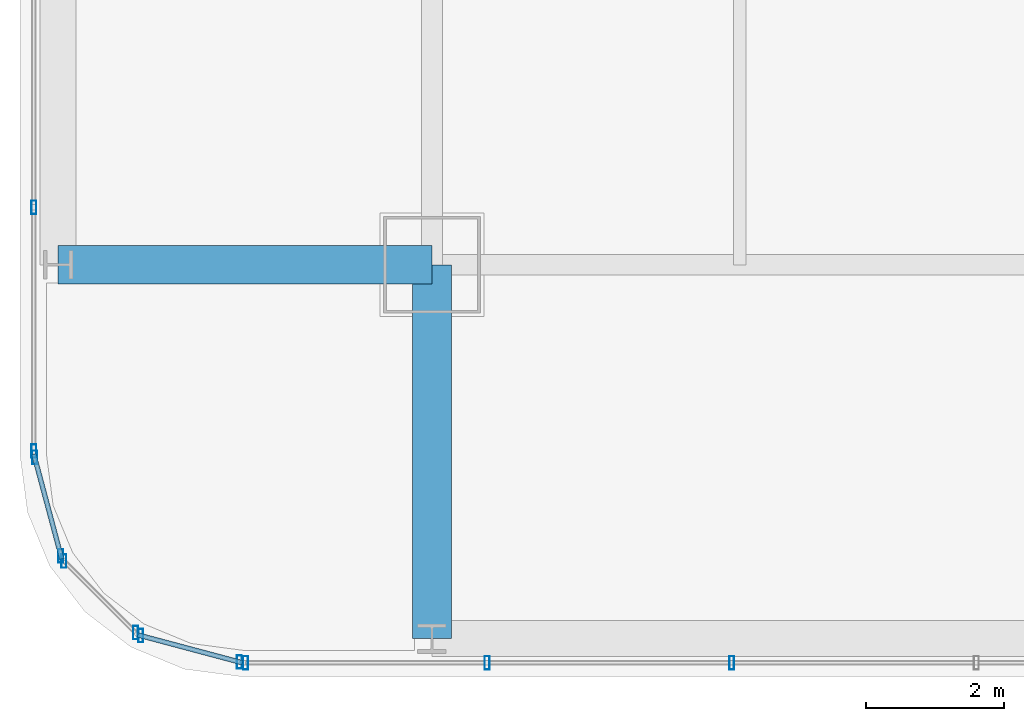
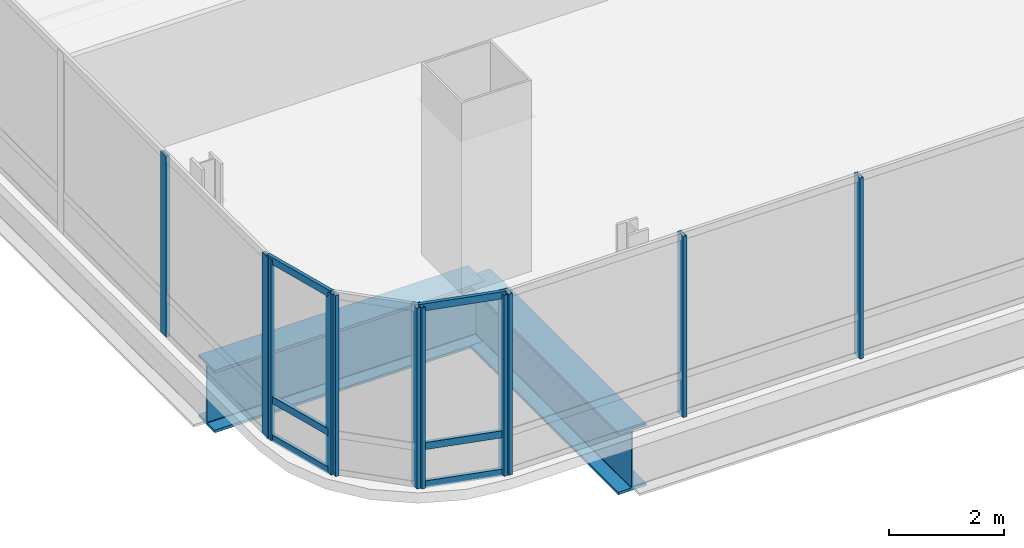
# One storey, part 2 of 36: 17 members, 2 beams, 5 elements without a shape of their own.
"""IFC4 building model written with IfcOpenShell, lengths in metres."""

import ifcopenshell
import ifcopenshell.guid

model = None  # the IFC model being written
_history = None  # IfcOwnerHistory: only IFC2X3 demands one
_inside = {}  # id of a spatial element -> (the spatial element, [elements in it])
_under = {}  # id of a project, library or spatial element -> (it, [spatial elements below it])
_declared = {}  # id of a project -> (the project, [libraries it declares])
_typed = {}  # id of a type object -> (the type object, [elements of that type])
_made_of = {}  # id of a material, layer set ... -> (it, [elements and type objects made of it])


def new_model(schema):
    """Start an empty IFC model of exactly this schema.

    Asked for "IFC4X3", IfcOpenShell would pick the latest addendum, in which some entities
    have other attributes; the version numbers below select the first issue.
    IFC2X3 requires an IfcOwnerHistory on every rooted entity: one is made here for all.
    """
    global model, _history
    if schema == "IFC4X3":
        model = ifcopenshell.file(schema_version=(4, 3, 0, 0))
    else:
        model = ifcopenshell.file(schema=schema)
    _inside.clear()
    _under.clear()
    _declared.clear()
    _typed.clear()
    _made_of.clear()
    _history = None
    if model.schema == "IFC2X3":
        org = make("IfcOrganization", Name="unknown")
        user = make(
            "IfcPersonAndOrganization",
            ThePerson=make("IfcPerson", FamilyName="unknown"),
            TheOrganization=org,
        )
        app = make(
            "IfcApplication",
            ApplicationDeveloper=org,
            Version="unknown",
            ApplicationFullName="unknown",
            ApplicationIdentifier="unknown",
        )
        _history = make(
            "IfcOwnerHistory",
            OwningUser=user,
            OwningApplication=app,
            ChangeAction="ADDED",
            CreationDate=0,
        )
    return model


def make(cls, **values):
    """One entity of the class cls with the attributes given. An attribute that is None is left unset."""
    return model.create_entity(
        cls, **{name: value for name, value in values.items() if value is not None}
    )


def rooted(cls, **values):
    """An entity with a GlobalId (a new one), such as an element, a storey or a relation."""
    return make(cls, GlobalId=ifcopenshell.guid.new(), OwnerHistory=_history, **values)


def si_unit(unit_type, name, prefix=None):
    """IfcSIUnit, for example si_unit("LENGTHUNIT", "METRE", prefix="MILLI")."""
    return make("IfcSIUnit", UnitType=unit_type, Prefix=prefix, Name=name)


def assignment(units):
    """IfcUnitAssignment: the units of a project."""
    return None if units is None else make("IfcUnitAssignment", Units=units)


def point(xyz):
    """IfcCartesianPoint."""
    return None if xyz is None else make("IfcCartesianPoint", Coordinates=xyz)


def direction(xyz):
    """IfcDirection."""
    return None if xyz is None else make("IfcDirection", DirectionRatios=xyz)


def frame(location, z_axis=None, x_axis=None):
    """IfcAxis2Placement3D, a coordinate frame: its origin and axes. An axis left out is left unset."""
    return make(
        "IfcAxis2Placement3D",
        Location=point(location),
        Axis=direction(z_axis),
        RefDirection=direction(x_axis),
    )


def frame_2d(location, x_axis=None):
    """IfcAxis2Placement2D, a coordinate frame in the plane: its origin and x axis."""
    return make(
        "IfcAxis2Placement2D", Location=point(location), RefDirection=direction(x_axis)
    )


def origin():
    """The frame at (0, 0, 0) with its axes left unset."""
    return frame((0.0, 0.0, 0.0))


def origin_2d():
    """The frame at (0, 0) in the plane with its x axis left unset."""
    return frame_2d((0.0, 0.0))


def place(relative_to, where):
    """IfcLocalPlacement: puts the frame where relative to a parent placement (None: the world)."""
    return make(
        "IfcLocalPlacement", PlacementRelTo=relative_to, RelativePlacement=where
    )


def context(
    kind, dimensions, precision=None, world=None, true_north=None, identifier=None
):
    """IfcGeometricRepresentationContext, for example the 3D "Model" context."""
    return make(
        "IfcGeometricRepresentationContext",
        ContextIdentifier=identifier,
        ContextType=kind,
        CoordinateSpaceDimension=dimensions,
        Precision=precision,
        WorldCoordinateSystem=world,
        TrueNorth=true_north,
    )


def subcontext(parent, identifier, kind, view, scale=None):
    """IfcGeometricRepresentationSubContext, for example "Body" below "Model"."""
    return make(
        "IfcGeometricRepresentationSubContext",
        ContextIdentifier=identifier,
        ContextType=kind,
        ParentContext=parent,
        TargetScale=scale,
        TargetView=view,
    )


def project(units=None, contexts=None):
    """IfcProject with its units and contexts."""
    return rooted(
        "IfcProject",
        Name="project",
        RepresentationContexts=contexts,
        UnitsInContext=assignment(units),
    )


def spatial(cls, under=None, at=None, **own):
    """A site, building, storey or space (cls), placed at a placement, below another one or the project."""
    s = rooted(cls, ObjectPlacement=at, **own)
    if under is not None:
        _under.setdefault(under.id(), (under, []))[1].append(s)
    return s


def profile(cls, at=None, kind="AREA", **sizes):
    """A parametric profile (cls). Its sizes go by their IFC names, for example OverallWidth=200.0."""
    return make(cls, ProfileType=kind, Position=at, **sizes)


def hollow_rectangle(**sizes):
    """IfcRectangleHollowProfileDef."""
    return profile("IfcRectangleHollowProfileDef", **sizes)


def i_section(**sizes):
    """IfcIShapeProfileDef."""
    return profile("IfcIShapeProfileDef", **sizes)


def extrude(swept, where, along, depth):
    """IfcExtrudedAreaSolid: the profile swept, set in the frame where, extruded along a direction by depth."""
    return make(
        "IfcExtrudedAreaSolid",
        SweptArea=swept,
        Position=where,
        ExtrudedDirection=direction(along),
        Depth=depth,
    )


def shape(context_of_items, identifier, shape_type, items):
    """IfcShapeRepresentation: the items that make up one representation, for example the "Body"."""
    return make(
        "IfcShapeRepresentation",
        ContextOfItems=context_of_items,
        RepresentationIdentifier=identifier,
        RepresentationType=shape_type,
        Items=items,
    )


def material(Name=None, Category=None):
    """IfcMaterial."""
    return make("IfcMaterial", Name=Name, Category=Category)


def material_profile(
    of_material, cross_section, Name=None, Category=None, Priority=None
):
    """IfcMaterialProfile: a cross section and its material."""
    return make(
        "IfcMaterialProfile",
        Name=Name,
        Material=of_material,
        Profile=cross_section,
        Priority=Priority,
        Category=Category,
    )


def profile_set(profiles, Name=None, composite=None):
    """IfcMaterialProfileSet."""
    return make(
        "IfcMaterialProfileSet",
        Name=Name,
        MaterialProfiles=profiles,
        CompositeProfile=composite,
    )


def made_of(thing, what):
    """Note that an element or type object is made of a material, layer set ...; save() writes the relation."""
    if what is not None:
        _made_of.setdefault(what.id(), (what, []))[1].append(thing)
    return thing


def type_object(cls, material=None, **own):
    """A type object (cls), such as IfcWallType, which elements share."""
    return made_of(rooted(cls, **own), material)


def element(
    cls,
    number,
    at=None,
    inside=None,
    cuts=None,
    type_object=None,
    material=None,
    context=None,
    identifier="Body",
    shape_type=None,
    held_by="IfcProductDefinitionShape",
    body=None,
    shapes=None,
    **own,
):
    """One element of the class cls, such as IfcWall. Its Tag is "e" and its number.

    at: its placement. inside: the storey or other place that contains it. cuts: it is an
    opening in that element (IfcRelVoidsElement). A single representation is given by context,
    identifier, shape_type and body (its items); several are given by shapes. held_by: the class
    of the entity that holds the representations. save() writes the other relations.
    """
    e = rooted(cls, Tag="e%d" % number, ObjectPlacement=at, **own)
    if body is not None:
        shapes = [shape(context, identifier, shape_type, body)]
    if shapes is not None:
        e.Representation = make(held_by, Representations=shapes)
    if inside is not None:
        _inside.setdefault(inside.id(), (inside, []))[1].append(e)
    if cuts is not None:
        rooted(
            "IfcRelVoidsElement", RelatingBuildingElement=cuts, RelatedOpeningElement=e
        )
    if type_object is not None:
        _typed.setdefault(type_object.id(), (type_object, []))[1].append(e)
    return made_of(e, material)


def aggregate(whole, parts):
    """IfcRelAggregates: a whole, such as a stair, and the parts it consists of."""
    return rooted("IfcRelAggregates", RelatingObject=whole, RelatedObjects=parts)


def save(model, path):
    """Write the relations noted so far, then the file.

    IfcRelAggregates (storeys below a building ...), IfcRelContainedInSpatialStructure (elements
    in a storey), IfcRelDefinesByType, IfcRelAssociatesMaterial and IfcRelDeclares: one each for
    every whole, place, type object, material and project.
    """
    for whole, parts in _under.values():
        aggregate(whole, parts)
    for where, things in _inside.values():
        rooted(
            "IfcRelContainedInSpatialStructure",
            RelatedElements=things,
            RelatingStructure=where,
        )
    for kind, things in _typed.values():
        rooted("IfcRelDefinesByType", RelatedObjects=things, RelatingType=kind)
    for what, things in _made_of.values():
        rooted("IfcRelAssociatesMaterial", RelatedObjects=things, RelatingMaterial=what)
    for by, libraries in _declared.values():
        rooted("IfcRelDeclares", RelatingContext=by, RelatedDefinitions=libraries)
    model.write(path)


model = new_model("IFC4")

# Units and contexts
model_context = context("Model", 3, precision=1e-05, world=origin(), true_north=direction((0.0, 1.0)))
body_context = subcontext(model_context, "Body", "Model", "MODEL_VIEW")
ifc_project = project(units=[si_unit("LENGTHUNIT", "METRE"), si_unit("AREAUNIT", "SQUARE_METRE"), si_unit("VOLUMEUNIT", "CUBIC_METRE"), si_unit("PLANEANGLEUNIT", "RADIAN"), si_unit("MASSUNIT", "GRAM", prefix="KILO")], contexts=[model_context])

# Site, building, storey
site_placement = place(None, origin())
site = spatial("IfcSite", under=ifc_project, at=site_placement, CompositionType="ELEMENT")
building_placement = place(site_placement, origin())
building = spatial("IfcBuilding", under=site, at=building_placement, Name="Punatoya Terracotta Tower", CompositionType="ELEMENT")
storey_placement = place(building_placement, frame((0.0, 0.0, 184.35009765625)))
storey = spatial("IfcBuildingStorey", under=building, at=storey_placement, Name="L43", CompositionType="ELEMENT", Elevation=184.35009765625)

# Beams
ifc_material_1 = material(Name="Steel S460", Category="steel")
ifc_material_profile_1 = material_profile(ifc_material_1, i_section(OverallWidth=0.56005859375, OverallDepth=1.320068359375, WebThickness=0.035888671875, FlangeThickness=0.054931640625, FilletRadius=0.01806640625, at=origin_2d()))
ifc_profile_set_1 = profile_set([ifc_material_profile_1], Name="Steel S460")
beam_type = type_object("IfcBeamType", Name="BM-TG-BLK", PredefinedType="BEAM", material=ifc_profile_set_1)
for number, where, z_axis, x_axis, name in (
    (1, (-24.5, -17.5, -0.880126953125), (1.0, 0.0, 0.0), (0.0, 1.0, 0.0), "BM-L43-CANT-W1"),
    (2, (-19.10009765625, -22.89990234375, -0.880126953125), (0.0, 1.0, 0.0), (-1.0, 0.0, 0.0), "BM-L43-CANT-S1"),
):
    element("IfcBeam", number, at=place(storey_placement, frame(where, z_axis=z_axis, x_axis=x_axis)), inside=storey, type_object=beam_type, Name=name, PredefinedType="BEAM", context=body_context, shape_type="SweptSolid", body=[
        extrude(i_section(OverallWidth=0.56005859375, OverallDepth=1.320068359375, WebThickness=0.035888671875, FlangeThickness=0.054931640625, FilletRadius=0.01806640625, at=origin_2d()), origin(), (0.0, 0.0, 1.0), 5.39990234375),
    ])

# Curtain wall, members
ifc_material_2 = material(Name="Aluminium 6063-T6 + Double Low-E Glass", Category="aluminium")
curtain_wall_type = type_object("IfcCurtainWallType", Name="CW-M2", PredefinedType="NOTDEFINED", material=ifc_material_2)
curtain_wall_1_placement = place(storey_placement, origin())
curtain_wall_1 = element("IfcCurtainWall", 3, at=curtain_wall_1_placement, inside=storey, type_object=curtain_wall_type, Name="L43 Curtain Wall CW-L43-S01-1", PredefinedType="NOTDEFINED")
ifc_material_3 = material(Name="Aluminium 6063-T6", Category="aluminium")
ifc_material_profile_2 = material_profile(ifc_material_3, hollow_rectangle(XDim=0.072021484375, YDim=0.195068359375, WallThickness=0.00439453125, at=origin_2d()))
ifc_profile_set_2 = profile_set([ifc_material_profile_2], Name="Aluminium 6063-T6")
member_type_1 = type_object("IfcMemberType", Name="CW-MUL-M2", PredefinedType="MULLION", material=ifc_profile_set_2)
member_1_placement = place(storey_placement, frame((-21.7919921875, -23.25, 0.0), z_axis=(0.0, 0.0, 1.0), x_axis=(1.0, 0.0, 0.0)))
member_1 = element("IfcMember", 4, at=member_1_placement, type_object=member_type_1, Name="CW-L43-S01-1 Mullion 00", PredefinedType="MULLION", context=body_context, shape_type="SweptSolid", body=[
    extrude(hollow_rectangle(XDim=0.072021484375, YDim=0.195068359375, WallThickness=0.00439453125, at=origin_2d()), origin(), (0.0, 0.0, 1.0), 3.829833984375),
])
member_2_placement = place(storey_placement, frame((-18.302978515625, -23.25, 0.0), z_axis=(0.0, 0.0, 1.0), x_axis=(1.0, 0.0, 0.0)))
member_2 = element("IfcMember", 5, at=member_2_placement, type_object=member_type_1, Name="CW-L43-S01-1 Mullion 01", PredefinedType="MULLION", context=body_context, shape_type="SweptSolid", body=[
    extrude(hollow_rectangle(XDim=0.072021484375, YDim=0.195068359375, WallThickness=0.00439453125, at=origin_2d()), origin(), (0.0, 0.0, 1.0), 3.829833984375),
])
member_3_placement = place(storey_placement, frame((-14.768798828125, -23.25, 0.0), z_axis=(0.0, 0.0, 1.0), x_axis=(1.0, 0.0, 0.0)))
member_3 = element("IfcMember", 6, at=member_3_placement, type_object=member_type_1, Name="CW-L43-S01-1 Mullion 02", PredefinedType="MULLION", context=body_context, shape_type="SweptSolid", body=[
    extrude(hollow_rectangle(XDim=0.072021484375, YDim=0.195068359375, WallThickness=0.00439453125, at=origin_2d()), origin(), (0.0, 0.0, 1.0), 3.829833984375),
])
aggregate(curtain_wall_1, [member_1, member_2, member_3])

curtain_wall_2_placement = place(storey_placement, origin())
curtain_wall_2 = element("IfcCurtainWall", 7, at=curtain_wall_2_placement, inside=storey, type_object=curtain_wall_type, Name="L43 Curtain Wall CW-L43-W13-1", PredefinedType="NOTDEFINED")
member_4_placement = place(storey_placement, frame((-24.85009765625, -16.66943359375, 0.0), z_axis=(0.0, 0.0, 1.0), x_axis=(1.0, 0.0, 0.0)))
member_4 = element("IfcMember", 8, at=member_4_placement, type_object=member_type_1, Name="CW-L43-W13-1 Mullion 09", PredefinedType="MULLION", context=body_context, shape_type="SweptSolid", body=[
    extrude(hollow_rectangle(XDim=0.072021484375, YDim=0.195068359375, WallThickness=0.00439453125, at=origin_2d()), origin(), (0.0, 0.0, 1.0), 3.829833984375),
])
member_5_placement = place(storey_placement, frame((-24.85009765625, -20.19189453125, 0.0), z_axis=(0.0, 0.0, 1.0), x_axis=(1.0, 0.0, 0.0)))
member_5 = element("IfcMember", 9, at=member_5_placement, type_object=member_type_1, Name="CW-L43-W13-1 Mullion 10", PredefinedType="MULLION", context=body_context, shape_type="SweptSolid", body=[
    extrude(hollow_rectangle(XDim=0.072021484375, YDim=0.195068359375, WallThickness=0.00439453125, at=origin_2d()), origin(), (0.0, 0.0, 1.0), 3.829833984375),
])
aggregate(curtain_wall_2, [member_4, member_5])

curtain_wall_3_placement = place(storey_placement, origin())
curtain_wall_3 = element("IfcCurtainWall", 10, at=curtain_wall_3_placement, inside=storey, type_object=curtain_wall_type, Name="L43 Curtain Wall CW-L43-CRN14", PredefinedType="NOTDEFINED")
member_6_placement = place(storey_placement, frame((-24.83837890625, -20.280517578125, 0.0), z_axis=(0.0, 0.0, 1.0), x_axis=(1.0, 0.0, 0.0)))
member_6 = element("IfcMember", 11, at=member_6_placement, type_object=member_type_1, Name="CW-L43-CRN14 Mullion 00", PredefinedType="MULLION", context=body_context, shape_type="SweptSolid", body=[
    extrude(hollow_rectangle(XDim=0.072021484375, YDim=0.195068359375, WallThickness=0.00439453125, at=origin_2d()), origin(), (0.0, 0.0, 1.0), 3.829833984375),
])
member_7_placement = place(storey_placement, frame((-24.458251953125, -21.70556640625, 0.0), z_axis=(0.0, 0.0, 1.0), x_axis=(1.0, 0.0, 0.0)))
member_7 = element("IfcMember", 12, at=member_7_placement, type_object=member_type_1, Name="CW-L43-CRN14 Mullion 01", PredefinedType="MULLION", context=body_context, shape_type="SweptSolid", body=[
    extrude(hollow_rectangle(XDim=0.072021484375, YDim=0.195068359375, WallThickness=0.00439453125, at=origin_2d()), origin(), (0.0, 0.0, 1.0), 3.829833984375),
])

curtain_wall_4_placement = place(storey_placement, origin())
curtain_wall_4 = element("IfcCurtainWall", 13, at=curtain_wall_4_placement, inside=storey, type_object=curtain_wall_type, Name="L43 Curtain Wall CW-L43-CRN15", PredefinedType="NOTDEFINED")
member_8_placement = place(storey_placement, frame((-24.414794921875, -21.781005859375, 0.0), z_axis=(0.0, 0.0, 1.0), x_axis=(1.0, 0.0, 0.0)))
member_8 = element("IfcMember", 14, at=member_8_placement, type_object=member_type_1, Name="CW-L43-CRN15 Mullion 00", PredefinedType="MULLION", context=body_context, shape_type="SweptSolid", body=[
    extrude(hollow_rectangle(XDim=0.072021484375, YDim=0.195068359375, WallThickness=0.00439453125, at=origin_2d()), origin(), (0.0, 0.0, 1.0), 3.829833984375),
])
member_9_placement = place(storey_placement, frame((-23.380859375, -22.814697265625, 0.0), z_axis=(0.0, 0.0, 1.0), x_axis=(1.0, 0.0, 0.0)))
member_9 = element("IfcMember", 15, at=member_9_placement, type_object=member_type_1, Name="CW-L43-CRN15 Mullion 01", PredefinedType="MULLION", context=body_context, shape_type="SweptSolid", body=[
    extrude(hollow_rectangle(XDim=0.072021484375, YDim=0.195068359375, WallThickness=0.00439453125, at=origin_2d()), origin(), (0.0, 0.0, 1.0), 3.829833984375),
])
aggregate(curtain_wall_4, [member_8, member_9])

curtain_wall_5_placement = place(storey_placement, origin())
curtain_wall_5 = element("IfcCurtainWall", 16, at=curtain_wall_5_placement, inside=storey, type_object=curtain_wall_type, Name="L43 Curtain Wall CW-L43-CRN16", PredefinedType="NOTDEFINED")
member_10_placement = place(storey_placement, frame((-23.3056640625, -22.858154296875, 0.0), z_axis=(0.0, 0.0, 1.0), x_axis=(1.0, 0.0, 0.0)))
member_10 = element("IfcMember", 17, at=member_10_placement, type_object=member_type_1, Name="CW-L43-CRN16 Mullion 00", PredefinedType="MULLION", context=body_context, shape_type="SweptSolid", body=[
    extrude(hollow_rectangle(XDim=0.072021484375, YDim=0.195068359375, WallThickness=0.00439453125, at=origin_2d()), origin(), (0.0, 0.0, 1.0), 3.829833984375),
])
member_11_placement = place(storey_placement, frame((-21.88037109375, -23.23828125, 0.0), z_axis=(0.0, 0.0, 1.0), x_axis=(1.0, 0.0, 0.0)))
member_11 = element("IfcMember", 18, at=member_11_placement, type_object=member_type_1, Name="CW-L43-CRN16 Mullion 01", PredefinedType="MULLION", context=body_context, shape_type="SweptSolid", body=[
    extrude(hollow_rectangle(XDim=0.072021484375, YDim=0.195068359375, WallThickness=0.00439453125, at=origin_2d()), origin(), (0.0, 0.0, 1.0), 3.829833984375),
])

# Member
ifc_material_profile_3 = material_profile(ifc_material_3, hollow_rectangle(XDim=0.068115234375, YDim=0.14990234375, WallThickness=0.00390625, at=origin_2d()))
ifc_profile_set_3 = profile_set([ifc_material_profile_3], Name="Aluminium 6063-T6")
member_type_2 = type_object("IfcMemberType", Name="CW-TRN-TYP", PredefinedType="USERDEFINED", material=ifc_profile_set_3)
member_12_placement = place(storey_placement, frame((-24.85009765625, -20.23681640625, 0.039794921875), z_axis=(0.257847112249, -0.966185730957, 0.0), x_axis=(0.966185730957, 0.257847112249, 0.0)))
member_12 = element("IfcMember", 19, at=member_12_placement, type_object=member_type_2, Name="CW-L43-CRN14 Transom 1", ObjectType="TRANSOM", PredefinedType="USERDEFINED", context=body_context, shape_type="SweptSolid", body=[
    extrude(hollow_rectangle(XDim=0.068115234375, YDim=0.14990234375, WallThickness=0.00390625, at=origin_2d()), origin(), (0.0, 0.0, 1.0), 1.565185546875),
])

member_13_placement = place(storey_placement, frame((-24.85009765625, -20.23681640625, 0.849853515625), z_axis=(0.257847112249, -0.966185730957, 0.0), x_axis=(0.966185730957, 0.257847112249, 0.0)))
member_13 = element("IfcMember", 20, at=member_13_placement, type_object=member_type_2, Name="CW-L43-CRN14 Transom 2", ObjectType="TRANSOM", PredefinedType="USERDEFINED", context=body_context, shape_type="SweptSolid", body=[
    extrude(hollow_rectangle(XDim=0.068115234375, YDim=0.14990234375, WallThickness=0.00390625, at=origin_2d()), origin(), (0.0, 0.0, 1.0), 1.565185546875),
])

member_14_placement = place(storey_placement, frame((-24.85009765625, -20.23681640625, 3.789794921875), z_axis=(0.257847112249, -0.966185730957, 0.0), x_axis=(0.966185730957, 0.257847112249, 0.0)))
member_14 = element("IfcMember", 21, at=member_14_placement, type_object=member_type_2, Name="CW-L43-CRN14 Transom 3", ObjectType="TRANSOM", PredefinedType="USERDEFINED", context=body_context, shape_type="SweptSolid", body=[
    extrude(hollow_rectangle(XDim=0.068115234375, YDim=0.14990234375, WallThickness=0.00390625, at=origin_2d()), origin(), (0.0, 0.0, 1.0), 1.565185546875),
])

aggregate(curtain_wall_3, [member_6, member_7, member_12, member_13, member_14])

member_15_placement = place(storey_placement, frame((-23.34912109375, -22.8466796875, 0.039794921875), z_axis=(0.966224582397, -0.257701486942, 0.0), x_axis=(0.257701486942, 0.966224582397, 0.0)))
member_15 = element("IfcMember", 22, at=member_15_placement, type_object=member_type_2, Name="CW-L43-CRN16 Transom 1", ObjectType="TRANSOM", PredefinedType="USERDEFINED", context=body_context, shape_type="SweptSolid", body=[
    extrude(hollow_rectangle(XDim=0.068115234375, YDim=0.14990234375, WallThickness=0.00390625, at=origin_2d()), origin(), (0.0, 0.0, 1.0), 1.565185546875),
])

member_16_placement = place(storey_placement, frame((-23.34912109375, -22.8466796875, 0.849853515625), z_axis=(0.966224582397, -0.257701486942, 0.0), x_axis=(0.257701486942, 0.966224582397, 0.0)))
member_16 = element("IfcMember", 23, at=member_16_placement, type_object=member_type_2, Name="CW-L43-CRN16 Transom 2", ObjectType="TRANSOM", PredefinedType="USERDEFINED", context=body_context, shape_type="SweptSolid", body=[
    extrude(hollow_rectangle(XDim=0.068115234375, YDim=0.14990234375, WallThickness=0.00390625, at=origin_2d()), origin(), (0.0, 0.0, 1.0), 1.565185546875),
])

member_17_placement = place(storey_placement, frame((-23.34912109375, -22.8466796875, 3.789794921875), z_axis=(0.966224582397, -0.257701486942, 0.0), x_axis=(0.257701486942, 0.966224582397, 0.0)))
member_17 = element("IfcMember", 24, at=member_17_placement, type_object=member_type_2, Name="CW-L43-CRN16 Transom 3", ObjectType="TRANSOM", PredefinedType="USERDEFINED", context=body_context, shape_type="SweptSolid", body=[
    extrude(hollow_rectangle(XDim=0.068115234375, YDim=0.14990234375, WallThickness=0.00390625, at=origin_2d()), origin(), (0.0, 0.0, 1.0), 1.565185546875),
])

aggregate(curtain_wall_5, [member_10, member_11, member_15, member_16, member_17])

save(model, "model.ifc")
